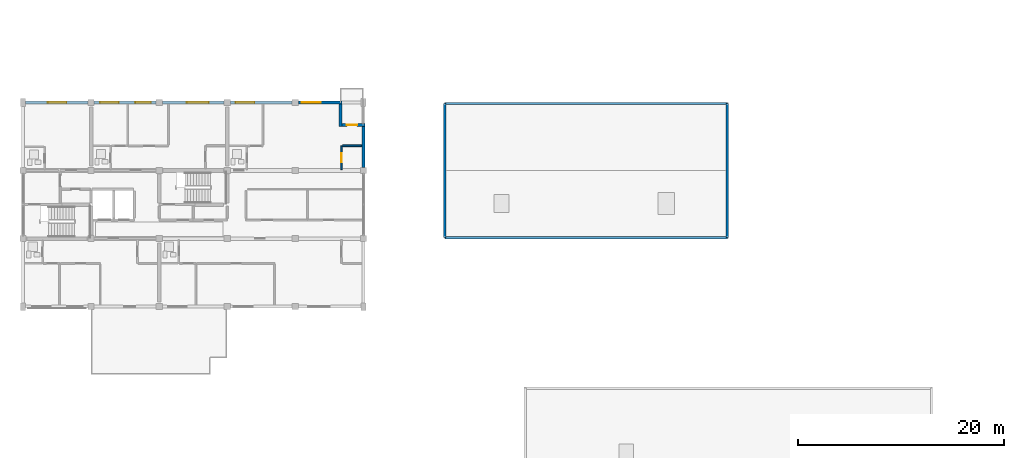
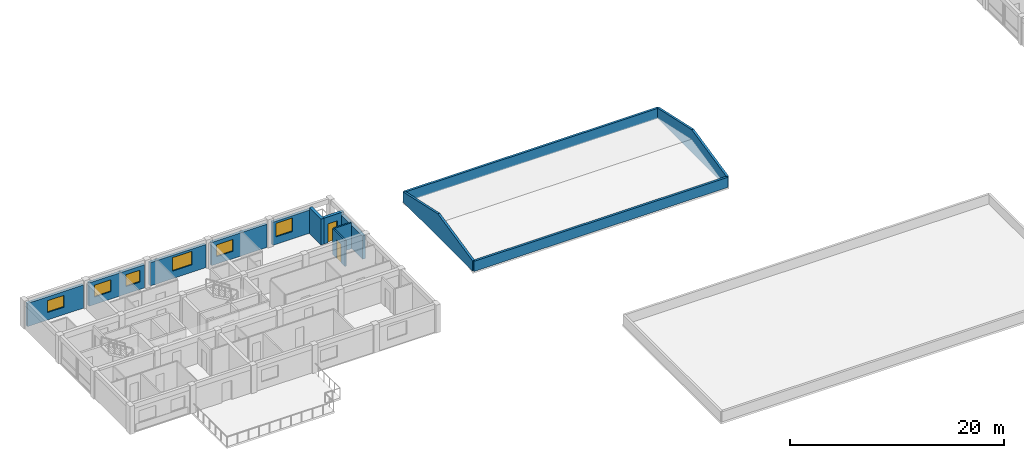
# One storey, part 36 of 51: 14 walls, 6 windows, 2 doors, 8 openings.
"""IFC4 building model written with IfcOpenShell, lengths in metres."""

from ifc_helpers import new_model, si_unit, direction, frame, frame_2d, origin, place, context, subcontext, project, spatial, polyline, rectangle, outline, extrude, material, layer, layer_set, type_object, element, fill, save


model = new_model("IFC4")

# Units and contexts
model_context = context("Model", 3, precision=1e-05, world=origin(), true_north=direction((0.0, 1.0)))
body_context = subcontext(model_context, "Body", "Model", "MODEL_VIEW")
ifc_project = project(units=[si_unit("LENGTHUNIT", "METRE"), si_unit("AREAUNIT", "SQUARE_METRE"), si_unit("VOLUMEUNIT", "CUBIC_METRE"), si_unit("PLANEANGLEUNIT", "RADIAN"), si_unit("MASSUNIT", "GRAM", prefix="KILO")], contexts=[model_context])

# Site, building, storey
site_placement = place(None, origin())
site = spatial("IfcSite", under=ifc_project, at=site_placement, CompositionType="ELEMENT")
building_placement = place(site_placement, origin())
building = spatial("IfcBuilding", under=site, at=building_placement, Name="Kernevlak Ridge Housing Community", CompositionType="ELEMENT")
storey_placement = place(building_placement, frame((0.0, 0.0, 8.39990234375)))
storey = spatial("IfcBuildingStorey", under=building, at=storey_placement, Name="L02", CompositionType="ELEMENT", Elevation=8.39990234375)

# Wall, opening, window
ifc_material_1 = material(Name="Concrete block masonry M10", Category="masonry")
ifc_layer_1 = layer(ifc_material_1, 0.300048828125, Name="Concrete block masonry M10")
ifc_layer_set_1 = layer_set([ifc_layer_1], Name="Concrete block masonry M10")
wall_type_1 = type_object("IfcWallType", Name="EW-01", PredefinedType="STANDARD", material=ifc_layer_set_1)
wall_1_placement = place(storey_placement, frame((15.85009765625, 95.800048828125, 0.0), z_axis=(0.0, 0.0, 1.0), x_axis=(1.0, 0.0, 0.0)))
wall_1 = element("IfcWall", 1, at=wall_1_placement, inside=storey, type_object=wall_type_1, Name="Exterior wall EW-01 L02 34", PredefinedType="STANDARD", context=body_context, shape_type="SweptSolid", body=[
    extrude(rectangle(XDim=6.0498046875, YDim=0.300048828125, at=frame_2d((3.02490234375, 0.0))), origin(), (0.0, 0.0, 1.0), 2.650146484375),
])
opening_1_placement = place(wall_1_placement, frame((2.14990234375, 0.0, 0.85009765625)))
opening_1 = element("IfcOpeningElement", 2, at=opening_1_placement, cuts=wall_1, Name="Opening WT-03", PredefinedType="OPENING", context=body_context, shape_type="SweptSolid", body=[
    extrude(rectangle(XDim=1.800048828125, YDim=1.35009765625, at=frame_2d((0.89990234375, 0.675048828125))), frame((0.0, 0.159912109375, 0.0), z_axis=(0.0, -1.0, 0.0), x_axis=(1.0, 0.0, 0.0)), (0.0, 0.0, 1.0), 0.320068359375),
])
ifc_material_2 = material(Name="Aluminium EN AW-6060 anodised and laminated glass", Category="aluminium")
window_type_1 = type_object("IfcWindowType", Name="WT-03", PartitioningType="SINGLE_PANEL", PredefinedType="WINDOW", material=ifc_material_2)
window_1_placement = place(opening_1_placement, origin())
window_1 = element("IfcWindow", 3, at=window_1_placement, inside=storey, type_object=window_type_1, Name="Window WT-03 L02 27", OverallHeight=1.35009765625, OverallWidth=1.800048828125, PartitioningType="SINGLE_PANEL", PredefinedType="WINDOW", context=body_context, shape_type="SweptSolid", body=[
    extrude(rectangle(XDim=1.800048828125, YDim=1.35009765625, at=frame_2d((0.89990234375, 0.675048828125))), frame((0.0, 0.030029296875, 0.0), z_axis=(0.0, -1.0, 0.0), x_axis=(1.0, 0.0, 0.0)), (0.0, 0.0, 1.0), 0.06005859375),
])
fill(opening_1, window_1)

# Wall, openings, windows
wall_2_placement = place(storey_placement, frame((22.5, 95.800048828125, 0.0), z_axis=(0.0, 0.0, 1.0), x_axis=(1.0, 0.0, 0.0)))
wall_2 = element("IfcWall", 4, at=wall_2_placement, inside=storey, type_object=wall_type_1, Name="Exterior wall EW-01 L02 35", PredefinedType="STANDARD", context=body_context, shape_type="SweptSolid", body=[
    extrude(rectangle(XDim=6.0, YDim=0.300048828125, at=frame_2d((3.0, 0.0))), origin(), (0.0, 0.0, 1.0), 2.650146484375),
])
opening_2_placement = place(wall_2_placement, frame((0.574951171875, 0.0, 0.85009765625)))
opening_2 = element("IfcOpeningElement", 5, at=opening_2_placement, cuts=wall_2, Name="Opening WT-03", PredefinedType="OPENING", context=body_context, shape_type="SweptSolid", body=[
    extrude(rectangle(XDim=1.800048828125, YDim=1.35009765625, at=frame_2d((0.89990234375, 0.675048828125))), frame((0.0, 0.159912109375, 0.0), z_axis=(0.0, -1.0, 0.0), x_axis=(1.0, 0.0, 0.0)), (0.0, 0.0, 1.0), 0.320068359375),
])
opening_3_placement = place(wall_2_placement, frame((4.0, 0.0, 0.85009765625)))
opening_3 = element("IfcOpeningElement", 6, at=opening_3_placement, cuts=wall_2, Name="Opening WT-02", PredefinedType="OPENING", context=body_context, shape_type="SweptSolid", body=[
    extrude(rectangle(XDim=1.5, YDim=1.35009765625, at=frame_2d((0.75, 0.675048828125))), frame((0.0, 0.159912109375, 0.0), z_axis=(0.0, -1.0, 0.0), x_axis=(1.0, 0.0, 0.0)), (0.0, 0.0, 1.0), 0.320068359375),
])
window_type_2 = type_object("IfcWindowType", Name="WT-02", PartitioningType="SINGLE_PANEL", PredefinedType="WINDOW", material=ifc_material_2)
window_2_placement = place(opening_3_placement, origin())
window_2 = element("IfcWindow", 7, at=window_2_placement, inside=storey, type_object=window_type_2, Name="Window WT-02 L02 29", OverallHeight=1.35009765625, OverallWidth=1.5, PartitioningType="SINGLE_PANEL", PredefinedType="WINDOW", context=body_context, shape_type="SweptSolid", body=[
    extrude(rectangle(XDim=1.5, YDim=1.35009765625, at=frame_2d((0.75, 0.675048828125))), frame((0.0, 0.030029296875, 0.0), z_axis=(0.0, -1.0, 0.0), x_axis=(1.0, 0.0, 0.0)), (0.0, 0.0, 1.0), 0.06005859375),
])
fill(opening_3, window_2)
window_3_placement = place(opening_2_placement, origin())
window_3 = element("IfcWindow", 8, at=window_3_placement, inside=storey, type_object=window_type_1, Name="Window WT-03 L02 28", OverallHeight=1.35009765625, OverallWidth=1.800048828125, PartitioningType="SINGLE_PANEL", PredefinedType="WINDOW", context=body_context, shape_type="SweptSolid", body=[
    extrude(rectangle(XDim=1.800048828125, YDim=1.35009765625, at=frame_2d((0.89990234375, 0.675048828125))), frame((0.0, 0.030029296875, 0.0), z_axis=(0.0, -1.0, 0.0), x_axis=(1.0, 0.0, 0.0)), (0.0, 0.0, 1.0), 0.06005859375),
])
fill(opening_2, window_3)

# Wall, opening, window
wall_3_placement = place(storey_placement, frame((29.10009765625, 95.800048828125, 0.0), z_axis=(0.0, 0.0, 1.0), x_axis=(1.0, 0.0, 0.0)))
wall_3 = element("IfcWall", 9, at=wall_3_placement, inside=storey, type_object=wall_type_1, Name="Exterior wall EW-01 L02 36", PredefinedType="STANDARD", context=body_context, shape_type="SweptSolid", body=[
    extrude(rectangle(XDim=6.0, YDim=0.300048828125, at=frame_2d((3.0, 0.0))), origin(), (0.0, 0.0, 1.0), 2.650146484375),
])
opening_4_placement = place(wall_3_placement, frame((2.39599609375, 0.0, 0.85009765625)))
opening_4 = element("IfcOpeningElement", 10, at=opening_4_placement, cuts=wall_3, Name="Opening WT-05", PredefinedType="OPENING", context=body_context, shape_type="SweptSolid", body=[
    extrude(rectangle(XDim=2.10009765625, YDim=1.550048828125, at=frame_2d((1.050048828125, 0.77490234375))), frame((0.0, 0.159912109375, 0.0), z_axis=(0.0, -1.0, 0.0), x_axis=(1.0, 0.0, 0.0)), (0.0, 0.0, 1.0), 0.320068359375),
])
window_type_3 = type_object("IfcWindowType", Name="WT-05", PartitioningType="SINGLE_PANEL", PredefinedType="WINDOW", material=ifc_material_2)
window_4_placement = place(opening_4_placement, origin())
window_4 = element("IfcWindow", 11, at=window_4_placement, inside=storey, type_object=window_type_3, Name="Window WT-05 L02 30", OverallHeight=1.550048828125, OverallWidth=2.10009765625, PartitioningType="SINGLE_PANEL", PredefinedType="WINDOW", context=body_context, shape_type="SweptSolid", body=[
    extrude(rectangle(XDim=2.10009765625, YDim=1.550048828125, at=frame_2d((1.050048828125, 0.77490234375))), frame((0.0, 0.030029296875, 0.0), z_axis=(0.0, -1.0, 0.0), x_axis=(1.0, 0.0, 0.0)), (0.0, 0.0, 1.0), 0.06005859375),
])
fill(opening_4, window_4)

wall_4_placement = place(storey_placement, frame((35.699951171875, 95.800048828125, 0.0), z_axis=(0.0, 0.0, 1.0), x_axis=(1.0, 0.0, 0.0)))
wall_4 = element("IfcWall", 12, at=wall_4_placement, inside=storey, type_object=wall_type_1, Name="Exterior wall EW-01 L02 37", PredefinedType="STANDARD", context=body_context, shape_type="SweptSolid", body=[
    extrude(rectangle(XDim=6.0, YDim=0.300048828125, at=frame_2d((3.0, 0.0))), origin(), (0.0, 0.0, 1.0), 2.650146484375),
])
opening_5_placement = place(wall_4_placement, frame((0.52490234375, 0.0, 0.85009765625)))
opening_5 = element("IfcOpeningElement", 13, at=opening_5_placement, cuts=wall_4, Name="Opening WT-03", PredefinedType="OPENING", context=body_context, shape_type="SweptSolid", body=[
    extrude(rectangle(XDim=1.800048828125, YDim=1.35009765625, at=frame_2d((0.89990234375, 0.675048828125))), frame((0.0, 0.159912109375, 0.0), z_axis=(0.0, -1.0, 0.0), x_axis=(1.0, 0.0, 0.0)), (0.0, 0.0, 1.0), 0.320068359375),
])
window_5_placement = place(opening_5_placement, origin())
window_5 = element("IfcWindow", 14, at=window_5_placement, inside=storey, type_object=window_type_1, Name="Window WT-03 L02 31", OverallHeight=1.35009765625, OverallWidth=1.800048828125, PartitioningType="SINGLE_PANEL", PredefinedType="WINDOW", context=body_context, shape_type="SweptSolid", body=[
    extrude(rectangle(XDim=1.800048828125, YDim=1.35009765625, at=frame_2d((0.89990234375, 0.675048828125))), frame((0.0, 0.030029296875, 0.0), z_axis=(0.0, -1.0, 0.0), x_axis=(1.0, 0.0, 0.0)), (0.0, 0.0, 1.0), 0.06005859375),
])
fill(opening_5, window_5)

wall_5_placement = place(storey_placement, frame((42.300048828125, 95.800048828125, 0.0), z_axis=(0.0, 0.0, 1.0), x_axis=(1.0, 0.0, 0.0)))
wall_5 = element("IfcWall", 15, at=wall_5_placement, inside=storey, type_object=wall_type_1, Name="Exterior wall EW-01 L02 38", PredefinedType="STANDARD", context=body_context, shape_type="SweptSolid", body=[
    extrude(rectangle(XDim=4.25, YDim=0.300048828125, at=frame_2d((2.125, 0.0))), origin(), (0.0, 0.0, 1.0), 2.650146484375),
])
opening_6_placement = place(wall_5_placement, frame((0.35009765625, 0.0, 0.85009765625)))
opening_6 = element("IfcOpeningElement", 16, at=opening_6_placement, cuts=wall_5, Name="Opening WT-04", PredefinedType="OPENING", context=body_context, shape_type="SweptSolid", body=[
    extrude(rectangle(XDim=1.800048828125, YDim=1.550048828125, at=frame_2d((0.89990234375, 0.77490234375))), frame((0.0, 0.159912109375, 0.0), z_axis=(0.0, -1.0, 0.0), x_axis=(1.0, 0.0, 0.0)), (0.0, 0.0, 1.0), 0.320068359375),
])
window_type_4 = type_object("IfcWindowType", Name="WT-04", PartitioningType="SINGLE_PANEL", PredefinedType="WINDOW", material=ifc_material_2)
window_6_placement = place(opening_6_placement, origin())
window_6 = element("IfcWindow", 17, at=window_6_placement, inside=storey, type_object=window_type_4, Name="Window WT-04 L02 32", OverallHeight=1.550048828125, OverallWidth=1.800048828125, PartitioningType="SINGLE_PANEL", PredefinedType="WINDOW", context=body_context, shape_type="SweptSolid", body=[
    extrude(rectangle(XDim=1.800048828125, YDim=1.550048828125, at=frame_2d((0.89990234375, 0.77490234375))), frame((0.0, 0.030029296875, 0.0), z_axis=(0.0, -1.0, 0.0), x_axis=(1.0, 0.0, 0.0)), (0.0, 0.0, 1.0), 0.06005859375),
])
fill(opening_6, window_6)

# Wall
wall_6_placement = place(storey_placement, frame((46.39990234375, 95.64990234375, 0.0), z_axis=(0.0, 0.0, 1.0), x_axis=(0.0, -1.0, 0.0)))
element("IfcWall", 18, at=wall_6_placement, inside=storey, type_object=wall_type_1, Name="Exterior wall EW-01 L02 39", PredefinedType="STANDARD", context=body_context, shape_type="SweptSolid", body=[
    extrude(rectangle(XDim=2.199951171875, YDim=0.300048828125, at=frame_2d((1.10009765625, 0.0))), origin(), (0.0, 0.0, 1.0), 2.960205078125),
])

# Wall, opening, door
wall_7_placement = place(storey_placement, frame((46.550048828125, 93.60009765625, 0.0), z_axis=(0.0, 0.0, 1.0), x_axis=(1.0, 0.0, 0.0)))
wall_7 = element("IfcWall", 19, at=wall_7_placement, inside=storey, type_object=wall_type_1, Name="Exterior wall EW-01 L02 40", PredefinedType="STANDARD", context=body_context, shape_type="SweptSolid", body=[
    extrude(rectangle(XDim=2.199951171875, YDim=0.300048828125, at=frame_2d((1.10009765625, 0.0))), origin(), (0.0, 0.0, 1.0), 2.960205078125),
])
opening_7_placement = place(wall_7_placement, frame((0.449951171875, 0.0, 0.0)))
opening_7 = element("IfcOpeningElement", 20, at=opening_7_placement, cuts=wall_7, Name="Opening D095", PredefinedType="OPENING", context=body_context, shape_type="SweptSolid", body=[
    extrude(rectangle(XDim=1.0, YDim=2.14990234375, at=frame_2d((0.5, 1.074951171875))), frame((0.0, 0.159912109375, 0.0), z_axis=(0.0, -1.0, 0.0), x_axis=(1.0, 0.0, 0.0)), (0.0, 0.0, 1.0), 0.320068359375),
])
ifc_material_3 = material(Name="Aluminium EN AW-6060 and laminated safety glass", Category="aluminium")
door_type_1 = type_object("IfcDoorType", Name="DT-08", OperationType="NOTDEFINED", PredefinedType="DOOR", material=ifc_material_3)
door_1_placement = place(opening_7_placement, origin())
door_1 = element("IfcDoor", 21, at=door_1_placement, inside=storey, type_object=door_type_1, Name="Flat A0223 corner balcony glazed door D095", OperationType="SINGLE_SWING_LEFT", OverallHeight=2.14990234375, OverallWidth=1.0, PredefinedType="DOOR", context=body_context, shape_type="SweptSolid", body=[
    extrude(rectangle(XDim=1.0, YDim=2.14990234375, at=frame_2d((0.5, 1.074951171875))), frame((0.0, 0.02490234375, 0.0), z_axis=(0.0, -1.0, 0.0), x_axis=(1.0, 0.0, 0.0)), (0.0, 0.0, 1.0), 0.050048828125),
])
fill(opening_7, door_1)

# Walls
wall_8_placement = place(storey_placement, frame((48.60009765625, 89.5, 0.0), z_axis=(0.0, 0.0, 1.0), x_axis=(0.0, 1.0, 0.0)))
element("IfcWall", 22, at=wall_8_placement, inside=storey, type_object=wall_type_1, Name="Exterior wall EW-01 L02 44", PredefinedType="STANDARD", context=body_context, shape_type="SweptSolid", body=[
    extrude(rectangle(XDim=3.949951171875, YDim=0.300048828125, at=frame_2d((1.97509765625, 0.0))), origin(), (0.0, 0.0, 1.0), 2.650146484375),
])
ifc_material_4 = material(Name="Concrete C35/45", Category="concrete")
ifc_layer_2 = layer(ifc_material_4, 0.235107421875, Name="Concrete C35/45")
ifc_layer_set_2 = layer_set([ifc_layer_2], Name="Concrete C35/45")
wall_type_2 = type_object("IfcWallType", Name="PR-04", PredefinedType="PARAPET", material=ifc_layer_set_2)
wall_9_placement = place(storey_placement, frame((56.5, 82.699951171875, 0.0), z_axis=(0.0, 0.0, 1.0), x_axis=(1.0, 0.0, 0.0)))
element("IfcWall", 23, at=wall_9_placement, inside=storey, type_object=wall_type_2, Name="Nursery roof parapet 1", PredefinedType="PARAPET", context=body_context, shape_type="SweptSolid", body=[
    extrude(rectangle(XDim=27.39990234375, YDim=0.235107421875, at=frame_2d((13.699951171875, 0.0))), origin(), (0.0, 0.0, 1.0), 1.150146484375),
])
wall_10_placement = place(storey_placement, frame((83.89990234375, 82.699951171875, 0.0), z_axis=(0.0, 0.0, 1.0), x_axis=(0.0, 1.0, 0.0)))
element("IfcWall", 24, at=wall_10_placement, inside=storey, type_object=wall_type_2, Name="Nursery roof parapet 2", PredefinedType="PARAPET", context=body_context, shape_type="SweptSolid", body=[
    extrude(outline(polyline([(0.0, 0.0), (13.0, 0.0), (13.0, 1.172119140625), (6.5, 2.60009765625), (0.0, 1.172119140625), (0.0, 0.0)])), frame((0.0, 0.11767578125, 0.0), z_axis=(0.0, -1.0, 0.0), x_axis=(1.0, 0.0, 0.0)), (0.0, 0.0, 1.0), 0.235107421875),
])
wall_11_placement = place(storey_placement, frame((83.89990234375, 95.699951171875, 0.0), z_axis=(0.0, 0.0, 1.0), x_axis=(-1.0, 0.0, 0.0)))
element("IfcWall", 25, at=wall_11_placement, inside=storey, type_object=wall_type_2, Name="Nursery roof parapet 3", PredefinedType="PARAPET", context=body_context, shape_type="SweptSolid", body=[
    extrude(rectangle(XDim=27.39990234375, YDim=0.235107421875, at=frame_2d((13.699951171875, 0.0))), origin(), (0.0, 0.0, 1.0), 1.150146484375),
])
wall_12_placement = place(storey_placement, frame((56.5, 95.699951171875, 0.0), z_axis=(0.0, 0.0, 1.0), x_axis=(0.0, -1.0, 0.0)))
element("IfcWall", 26, at=wall_12_placement, inside=storey, type_object=wall_type_2, Name="Nursery roof parapet 4", PredefinedType="PARAPET", context=body_context, shape_type="SweptSolid", body=[
    extrude(outline(polyline([(0.0, 0.0), (13.0, 0.0), (13.0, 1.172119140625), (6.5, 2.60009765625), (0.0, 1.172119140625), (0.0, 0.0)])), frame((0.0, 0.11767578125, 0.0), z_axis=(0.0, -1.0, 0.0), x_axis=(1.0, 0.0, 0.0)), (0.0, 0.0, 1.0), 0.235107421875),
])

# Wall, opening, door
ifc_material_5 = material(Name="Gypsum plasterboard EN 520", Category="gypsum")
ifc_layer_3 = layer(ifc_material_5, 0.155029296875, Name="Gypsum plasterboard EN 520")
ifc_layer_set_3 = layer_set([ifc_layer_3], Name="Gypsum plasterboard EN 520")
wall_type_3 = type_object("IfcWallType", Name="PW-05", PredefinedType="PARTITIONING", material=ifc_layer_set_3)
wall_13_placement = place(storey_placement, frame((46.5, 89.297607421875, 0.0), z_axis=(0.0, 0.0, 1.0), x_axis=(0.0, 1.0, 0.0)))
wall_13 = element("IfcWall", 27, at=wall_13_placement, inside=storey, type_object=wall_type_3, Name="Interior wall PW-05 WAL-INT-L02-0187", PredefinedType="PARTITIONING", context=body_context, shape_type="SweptSolid", body=[
    extrude(rectangle(XDim=2.302490234375, YDim=0.155029296875, at=frame_2d((1.1513671875, 0.0))), origin(), (0.0, 0.0, 1.0), 2.960205078125),
])
opening_8_placement = place(wall_13_placement, frame((0.699951171875, 0.0, 0.0)))
opening_8 = element("IfcOpeningElement", 28, at=opening_8_placement, cuts=wall_13, Name="Opening D093", PredefinedType="OPENING", context=body_context, shape_type="SweptSolid", body=[
    extrude(rectangle(XDim=0.860107421875, YDim=2.1201171875, at=frame_2d((0.43017578125, 1.06005859375))), frame((0.0, 0.08740234375, 0.0), z_axis=(0.0, -1.0, 0.0), x_axis=(1.0, 0.0, 0.0)), (0.0, 0.0, 1.0), 0.175048828125),
])
ifc_material_6 = material(Name="Hardwood timber leaf", Category="wood")
door_type_2 = type_object("IfcDoorType", Name="DT-28", OperationType="NOTDEFINED", PredefinedType="DOOR", material=ifc_material_6)
door_2_placement = place(opening_8_placement, origin())
door_2 = element("IfcDoor", 29, at=door_2_placement, inside=storey, type_object=door_type_2, Name="Flat A0223 kitchen door D093", OperationType="SINGLE_SWING_LEFT", OverallHeight=2.1201171875, OverallWidth=0.860107421875, PredefinedType="DOOR", context=body_context, shape_type="SweptSolid", body=[
    extrude(rectangle(XDim=0.860107421875, YDim=2.1201171875, at=frame_2d((0.43017578125, 1.06005859375))), frame((0.0, 0.02490234375, 0.0), z_axis=(0.0, -1.0, 0.0), x_axis=(1.0, 0.0, 0.0)), (0.0, 0.0, 1.0), 0.050048828125),
])
fill(opening_8, door_2)

# Wall
wall_14_placement = place(storey_placement, frame((46.58740234375, 91.60009765625, 0.0), z_axis=(0.0, 0.0, 1.0), x_axis=(1.0, 0.0, 0.0)))
element("IfcWall", 30, at=wall_14_placement, inside=storey, type_object=wall_type_3, Name="Interior wall PW-05 WAL-INT-L02-0188", PredefinedType="PARTITIONING", context=body_context, shape_type="SweptSolid", body=[
    extrude(rectangle(XDim=1.8525390625, YDim=0.155029296875, at=frame_2d((0.92626953125, 0.0))), origin(), (0.0, 0.0, 1.0), 2.960205078125),
])

save(model, "model.ifc")
